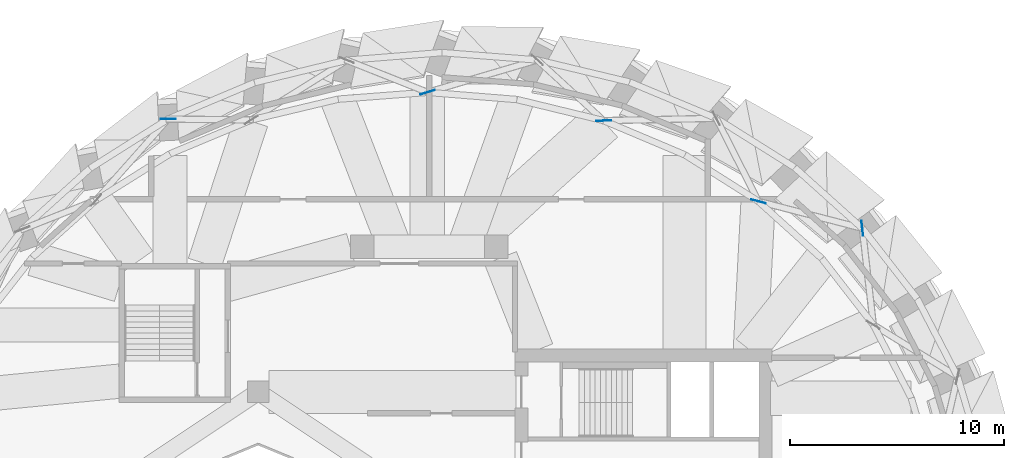
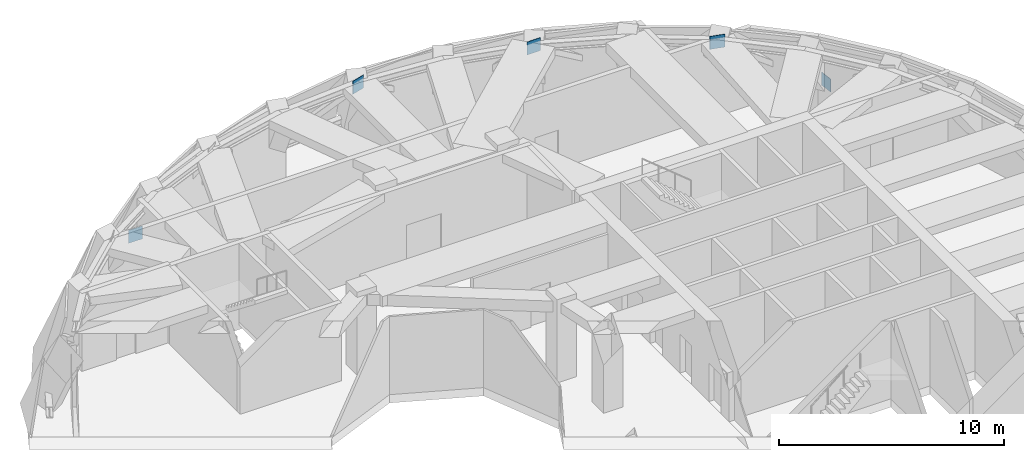
# One storey, part 12 of 14: 5 discrete accessories.
"""IFC4 building model written with IfcOpenShell, lengths in metres."""

from ifc_helpers import new_model, si_unit, direction, frame, origin, origin_2d, place, context, subcontext, project, spatial, rectangle, extrude, material, type_object, element, save


model = new_model("IFC4")

# Units and contexts
model_context = context("Model", 3, precision=1e-05, world=origin(), true_north=direction((0.0, 1.0)))
body_context = subcontext(model_context, "Body", "Model", "MODEL_VIEW")
ifc_project = project(units=[si_unit("LENGTHUNIT", "METRE"), si_unit("AREAUNIT", "SQUARE_METRE"), si_unit("VOLUMEUNIT", "CUBIC_METRE"), si_unit("PLANEANGLEUNIT", "RADIAN"), si_unit("MASSUNIT", "GRAM", prefix="KILO")], contexts=[model_context])

# Site, building, storey
site_placement = place(None, origin())
site = spatial("IfcSite", under=ifc_project, at=site_placement, CompositionType="ELEMENT")
building_placement = place(site_placement, origin())
building = spatial("IfcBuilding", under=site, at=building_placement, Name="Taillehof Tower", CompositionType="ELEMENT")
storey_placement = place(building_placement, frame((0.0, 0.0, 228.800048828125)))
storey = spatial("IfcBuildingStorey", under=building, at=storey_placement, Name="L65", CompositionType="ELEMENT", Elevation=228.800048828125)

# Discrete accessories
ifc_material = material(Name="Steel S460M", Category="steel")
discrete_accessory_type = type_object("IfcDiscreteAccessoryType", Name="Steel gusset plate", PredefinedType="BRACKET", material=ifc_material)
for number, where, z_axis, x_axis, name in (
    (1, (-12.2099609375, 20.75, 0.5498046875), (0.0, 0.0, 1.0), (-0.999949503136, 0.010049436675, 0.0), "Gusset plate 285"),
    (2, (-0.080078125, 22.0, 3.669921875), (0.0, 0.0, 1.0), (-0.959092916406, -0.283091465254, 0.0), "Gusset plate 290"),
    (3, (8.14990234375, 20.669921875, 3.669921875), (0.0, 0.0, 1.0), (-0.999788722842, -0.020555040204, 0.0), "Gusset plate 294"),
    (4, (15.3798828125, 16.89990234375, 3.669921875), (0.0, 0.0, 1.0), (-0.967948940488, 0.251147065696, 0.0), "Gusset plate 298"),
    (5, (20.22998046875, 15.639892578125, 0.5498046875), (0.0, 0.0, 1.0), (-0.113083559356, 0.993585481276, 0.0), "Gusset plate 301"),
):
    element("IfcDiscreteAccessory", number, at=place(storey_placement, frame(where, z_axis=z_axis, x_axis=x_axis)), inside=storey, type_object=discrete_accessory_type, Name=name, PredefinedType="BRACKET", context=body_context, shape_type="SweptSolid", body=[
        extrude(rectangle(XDim=0.699951171875, YDim=0.02490234375, at=origin_2d()), origin(), (0.0, 0.0, 1.0), 0.699951171875),
    ])

save(model, "model.ifc")
